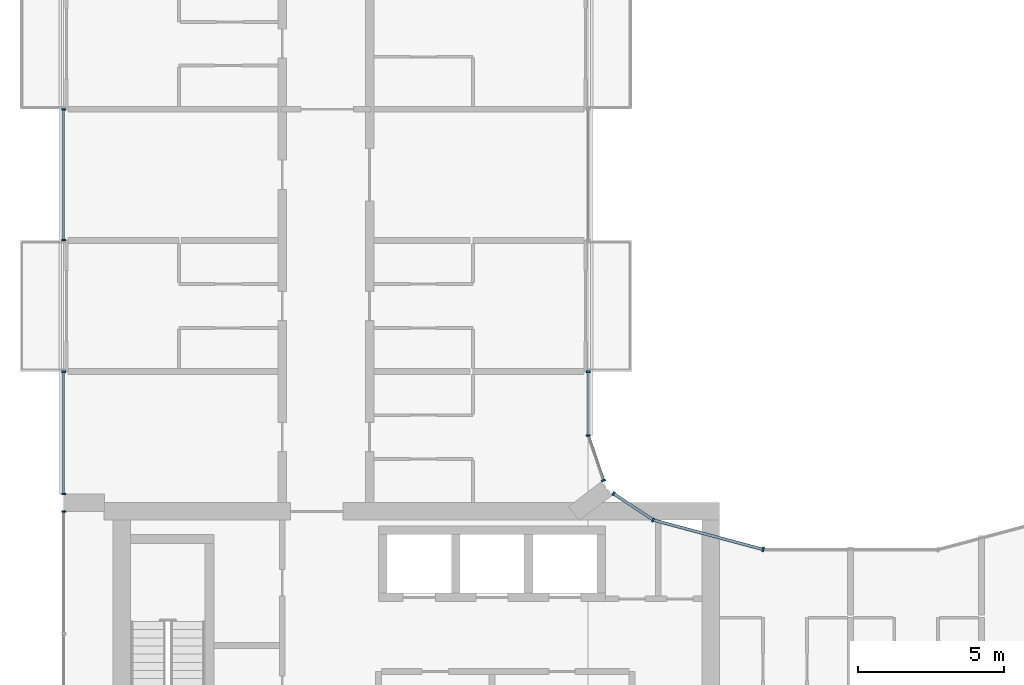
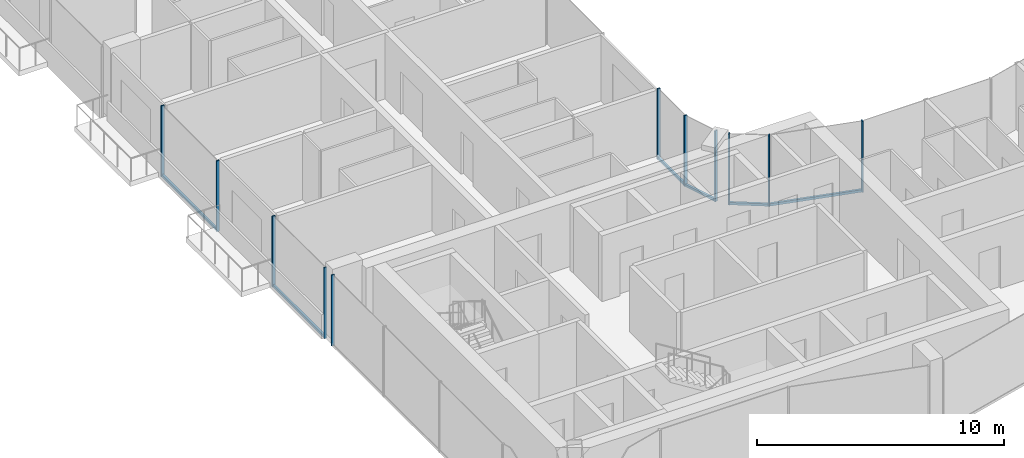
# One storey, part 4 of 16: 17 members, 7 elements without a shape of their own.
"""IFC4 building model written with IfcOpenShell, lengths in metres."""

from ifc_helpers import new_model, si_unit, direction, frame, origin, origin_2d, place, context, subcontext, project, spatial, rectangle, extrude, material, layer, layer_set, material_profile, profile_set, type_object, element, aggregate, save


model = new_model("IFC4")

# Units and contexts
model_context = context("Model", 3, precision=1e-05, world=origin(), true_north=direction((0.0, 1.0)))
body_context = subcontext(model_context, "Body", "Model", "MODEL_VIEW")
ifc_project = project(units=[si_unit("LENGTHUNIT", "METRE"), si_unit("AREAUNIT", "SQUARE_METRE"), si_unit("VOLUMEUNIT", "CUBIC_METRE"), si_unit("PLANEANGLEUNIT", "RADIAN"), si_unit("MASSUNIT", "GRAM", prefix="KILO")], contexts=[model_context])

# Site, building, storey
site_placement = place(None, origin())
site = spatial("IfcSite", under=ifc_project, at=site_placement, CompositionType="ELEMENT")
building_placement = place(site_placement, origin())
building = spatial("IfcBuilding", under=site, at=building_placement, Name="Plateau Cross Towers", CompositionType="ELEMENT")
storey_placement = place(building_placement, frame((0.0, 0.0, 167.39990234375)))
storey = spatial("IfcBuildingStorey", under=building, at=storey_placement, Name="L43", CompositionType="ELEMENT", Elevation=167.39990234375)

# Curtain wall, members
ifc_material_1 = material(Name="Dark low-iron glass", Category="glass")
ifc_layer_1 = layer(ifc_material_1, 0.239990234375)
ifc_layer_set_1 = layer_set([ifc_layer_1], Name="Dark low-iron glass")
curtain_wall_type_1 = type_object("IfcCurtainWallType", Name="Curtain wall flush unitised CW-B", PredefinedType="NOTDEFINED", material=ifc_layer_set_1)
curtain_wall_1_placement = place(storey_placement, origin())
curtain_wall_1 = element("IfcCurtainWall", 1, at=curtain_wall_1_placement, inside=storey, type_object=curtain_wall_type_1, Name="ENV/A/L43/A202_174", PredefinedType="NOTDEFINED")
ifc_material_2 = material(Name="Black anodised aluminium", Category="aluminium")
ifc_material_profile_1 = material_profile(ifc_material_2, rectangle(XDim=0.06005859375, YDim=0.139892578125, at=origin_2d()), Name="MULLION 60x140")
ifc_profile_set_1 = profile_set([ifc_material_profile_1], Name="Black anodised aluminium")
member_type_1 = type_object("IfcMemberType", Name="Mullion 60x140 flush unitised", PredefinedType="MULLION", material=ifc_profile_set_1)
member_1_placement = place(storey_placement, frame((20.223876953125, 17.404296875, -0.25), z_axis=(0.0, 0.0, 1.0), x_axis=(-0.831521253329, 0.555492938984, 0.0)))
member_1 = element("IfcMember", 2, at=member_1_placement, type_object=member_type_1, Name="CW-B mullion 1", PredefinedType="MULLION", context=body_context, shape_type="SweptSolid", body=[
    extrude(rectangle(XDim=0.06005859375, YDim=0.139892578125, at=origin_2d()), origin(), (0.0, 0.0, 1.0), 3.5),
])
member_2_placement = place(storey_placement, frame((18.86962890625, 18.30908203125, -0.25), z_axis=(0.0, 0.0, 1.0), x_axis=(-0.831521253329, 0.555492938984, 0.0)))
member_2 = element("IfcMember", 3, at=member_2_placement, type_object=member_type_1, Name="CW-B mullion 2", PredefinedType="MULLION", context=body_context, shape_type="SweptSolid", body=[
    extrude(rectangle(XDim=0.06005859375, YDim=0.139892578125, at=origin_2d()), origin(), (0.0, 0.0, 1.0), 3.5),
])

# Curtain wall, member
curtain_wall_2_placement = place(storey_placement, origin())
curtain_wall_2 = element("IfcCurtainWall", 4, at=curtain_wall_2_placement, inside=storey, type_object=curtain_wall_type_1, Name="ENV/A/L43/A185_188", PredefinedType="NOTDEFINED")
member_3_placement = place(storey_placement, frame((18.523681640625, 18.760009765625, -0.25), z_axis=(0.0, 0.0, 1.0), x_axis=(-0.321469161574, 0.94692004845, 0.0)))
member_3 = element("IfcMember", 5, at=member_3_placement, type_object=member_type_1, Name="CW-B mullion 1", PredefinedType="MULLION", context=body_context, shape_type="SweptSolid", body=[
    extrude(rectangle(XDim=0.06005859375, YDim=0.139892578125, at=origin_2d()), origin(), (0.0, 0.0, 1.0), 3.5),
])

# Curtain wall, members
curtain_wall_3_placement = place(storey_placement, origin())
curtain_wall_3 = element("IfcCurtainWall", 6, at=curtain_wall_3_placement, inside=storey, type_object=curtain_wall_type_1, Name="ENV/A/L43/A180_203", PredefinedType="NOTDEFINED")
member_4_placement = place(storey_placement, frame((18.0, 20.30224609375, -0.25), z_axis=(0.0, 0.0, 1.0), x_axis=(0.0, 1.0, 0.0)))
member_4 = element("IfcMember", 7, at=member_4_placement, type_object=member_type_1, Name="CW-B mullion 1", PredefinedType="MULLION", context=body_context, shape_type="SweptSolid", body=[
    extrude(rectangle(XDim=0.06005859375, YDim=0.139892578125, at=origin_2d()), origin(), (0.0, 0.0, 1.0), 3.5),
])
member_5_placement = place(storey_placement, frame((18.0, 22.489990234375, -0.25), z_axis=(0.0, 0.0, 1.0), x_axis=(0.0, 1.0, 0.0)))
member_5 = element("IfcMember", 8, at=member_5_placement, type_object=member_type_1, Name="CW-B mullion 2", PredefinedType="MULLION", context=body_context, shape_type="SweptSolid", body=[
    extrude(rectangle(XDim=0.06005859375, YDim=0.139892578125, at=origin_2d()), origin(), (0.0, 0.0, 1.0), 3.5),
])

curtain_wall_4_placement = place(storey_placement, origin())
curtain_wall_4 = element("IfcCurtainWall", 9, at=curtain_wall_4_placement, inside=storey, type_object=curtain_wall_type_1, Name="ENV/A/L43/A0_315", PredefinedType="NOTDEFINED")
member_6_placement = place(storey_placement, frame((0.0, 31.489990234375, -0.25), z_axis=(0.0, 0.0, 1.0), x_axis=(0.0, -1.0, 0.0)))
member_6 = element("IfcMember", 10, at=member_6_placement, type_object=member_type_1, Name="CW-B mullion 1", PredefinedType="MULLION", context=body_context, shape_type="SweptSolid", body=[
    extrude(rectangle(XDim=0.06005859375, YDim=0.139892578125, at=origin_2d()), origin(), (0.0, 0.0, 1.0), 3.5),
])
member_7_placement = place(storey_placement, frame((0.0, 27.010009765625, -0.25), z_axis=(0.0, 0.0, 1.0), x_axis=(0.0, -1.0, 0.0)))
member_7 = element("IfcMember", 11, at=member_7_placement, type_object=member_type_1, Name="CW-B mullion 2", PredefinedType="MULLION", context=body_context, shape_type="SweptSolid", body=[
    extrude(rectangle(XDim=0.06005859375, YDim=0.139892578125, at=origin_2d()), origin(), (0.0, 0.0, 1.0), 3.5),
])

curtain_wall_5_placement = place(storey_placement, origin())
curtain_wall_5 = element("IfcCurtainWall", 12, at=curtain_wall_5_placement, inside=storey, type_object=curtain_wall_type_1, Name="ENV/A/L43/A0_225", PredefinedType="NOTDEFINED")
member_8_placement = place(storey_placement, frame((0.0, 22.489990234375, -0.25), z_axis=(0.0, 0.0, 1.0), x_axis=(0.0, -1.0, 0.0)))
member_8 = element("IfcMember", 13, at=member_8_placement, type_object=member_type_1, Name="CW-B mullion 1", PredefinedType="MULLION", context=body_context, shape_type="SweptSolid", body=[
    extrude(rectangle(XDim=0.06005859375, YDim=0.139892578125, at=origin_2d()), origin(), (0.0, 0.0, 1.0), 3.5),
])
member_9_placement = place(storey_placement, frame((0.0, 18.300048828125, -0.25), z_axis=(0.0, 0.0, 1.0), x_axis=(0.0, -1.0, 0.0)))
member_9 = element("IfcMember", 14, at=member_9_placement, type_object=member_type_1, Name="CW-B mullion 2", PredefinedType="MULLION", context=body_context, shape_type="SweptSolid", body=[
    extrude(rectangle(XDim=0.06005859375, YDim=0.139892578125, at=origin_2d()), origin(), (0.0, 0.0, 1.0), 3.5),
])

# Curtain wall, member
curtain_wall_6_placement = place(storey_placement, origin())
curtain_wall_6 = element("IfcCurtainWall", 15, at=curtain_wall_6_placement, inside=storey, type_object=curtain_wall_type_1, Name="ENV/A/L43/A0_177", PredefinedType="NOTDEFINED")
member_10_placement = place(storey_placement, frame((0.0, 17.699951171875, -0.25), z_axis=(0.0, 0.0, 1.0), x_axis=(0.0, -1.0, 0.0)))
member_10 = element("IfcMember", 16, at=member_10_placement, type_object=member_type_1, Name="CW-B mullion 1", PredefinedType="MULLION", context=body_context, shape_type="SweptSolid", body=[
    extrude(rectangle(XDim=0.06005859375, YDim=0.139892578125, at=origin_2d()), origin(), (0.0, 0.0, 1.0), 3.5),
])
aggregate(curtain_wall_6, [member_10])

ifc_layer_2 = layer(ifc_material_1, 0.260009765625)
ifc_layer_set_2 = layer_set([ifc_layer_2], Name="Dark low-iron glass")
curtain_wall_type_2 = type_object("IfcCurtainWallType", Name="Curtain wall fluted unitised CW-A", PredefinedType="NOTDEFINED", material=ifc_layer_set_2)
curtain_wall_7_placement = place(storey_placement, origin())
curtain_wall_7 = element("IfcCurtainWall", 17, at=curtain_wall_7_placement, inside=storey, type_object=curtain_wall_type_2, Name="ENV/A/L43/A240_164", PredefinedType="NOTDEFINED")
ifc_material_profile_2 = material_profile(ifc_material_2, rectangle(XDim=0.06005859375, YDim=0.159912109375, at=origin_2d()), Name="MULLION 60x160")
ifc_profile_set_2 = profile_set([ifc_material_profile_2], Name="Black anodised aluminium")
member_type_2 = type_object("IfcMemberType", Name="Mullion 60x160 fluted unitised", PredefinedType="MULLION", material=ifc_profile_set_2)
member_11_placement = place(storey_placement, frame((24.0, 16.39306640625, -0.25), z_axis=(0.0, 0.0, 1.0), x_axis=(-0.965957995816, 0.258698956933, 0.0)))
member_11 = element("IfcMember", 18, at=member_11_placement, type_object=member_type_2, Name="CW-A mullion 1", PredefinedType="MULLION", context=body_context, shape_type="SweptSolid", body=[
    extrude(rectangle(XDim=0.06005859375, YDim=0.159912109375, at=origin_2d()), origin(), (0.0, 0.0, 1.0), 3.5),
])

# Member
ifc_material_profile_3 = material_profile(ifc_material_2, rectangle(XDim=0.10009765625, YDim=0.1201171875, at=origin_2d()), Name="TRANSOM 100x120")
ifc_profile_set_3 = profile_set([ifc_material_profile_3], Name="Black anodised aluminium")
member_type_3 = type_object("IfcMemberType", Name="Transom 100x120 flush unitised", PredefinedType="USERDEFINED", material=ifc_profile_set_3)
member_12_placement = place(storey_placement, frame((20.223876953125, 17.404296875, -0.18994140625), z_axis=(-0.831496402487, 0.555530136582, 0.0), x_axis=(-0.555530136582, -0.831496402487, 0.0)))
member_12 = element("IfcMember", 19, at=member_12_placement, type_object=member_type_3, Name="CW-B transom", ObjectType="TRANSOM", PredefinedType="USERDEFINED", context=body_context, shape_type="SweptSolid", body=[
    extrude(rectangle(XDim=0.10009765625, YDim=0.1201171875, at=origin_2d()), origin(), (0.0, 0.0, 1.0), 1.628662109375),
])

aggregate(curtain_wall_1, [member_1, member_2, member_12])

member_13_placement = place(storey_placement, frame((18.523681640625, 18.760009765625, -0.18994140625), z_axis=(-0.321529174838, 0.946899672472, 0.0), x_axis=(-0.946899672472, -0.321529174838, 0.0)))
member_13 = element("IfcMember", 20, at=member_13_placement, type_object=member_type_3, Name="CW-B transom", ObjectType="TRANSOM", PredefinedType="USERDEFINED", context=body_context, shape_type="SweptSolid", body=[
    extrude(rectangle(XDim=0.10009765625, YDim=0.1201171875, at=origin_2d()), origin(), (0.0, 0.0, 1.0), 1.628662109375),
])

aggregate(curtain_wall_2, [member_3, member_13])

member_14_placement = place(storey_placement, frame((18.0, 20.30224609375, -0.18994140625), z_axis=(0.0, 1.0, 0.0), x_axis=(-1.0, 0.0, 0.0)))
member_14 = element("IfcMember", 21, at=member_14_placement, type_object=member_type_3, Name="CW-B transom", ObjectType="TRANSOM", PredefinedType="USERDEFINED", context=body_context, shape_type="SweptSolid", body=[
    extrude(rectangle(XDim=0.10009765625, YDim=0.1201171875, at=origin_2d()), origin(), (0.0, 0.0, 1.0), 2.187744140625),
])

aggregate(curtain_wall_3, [member_4, member_5, member_14])

member_15_placement = place(storey_placement, frame((0.0, 31.489990234375, -0.18994140625), z_axis=(0.0, -1.0, 0.0), x_axis=(1.0, 0.0, 0.0)))
member_15 = element("IfcMember", 22, at=member_15_placement, type_object=member_type_3, Name="CW-B transom", ObjectType="TRANSOM", PredefinedType="USERDEFINED", context=body_context, shape_type="SweptSolid", body=[
    extrude(rectangle(XDim=0.10009765625, YDim=0.1201171875, at=origin_2d()), origin(), (0.0, 0.0, 1.0), 4.47998046875),
])

aggregate(curtain_wall_4, [member_6, member_7, member_15])

member_16_placement = place(storey_placement, frame((0.0, 22.489990234375, -0.18994140625), z_axis=(0.0, -1.0, 0.0), x_axis=(1.0, 0.0, 0.0)))
member_16 = element("IfcMember", 23, at=member_16_placement, type_object=member_type_3, Name="CW-B transom", ObjectType="TRANSOM", PredefinedType="USERDEFINED", context=body_context, shape_type="SweptSolid", body=[
    extrude(rectangle(XDim=0.10009765625, YDim=0.1201171875, at=origin_2d()), origin(), (0.0, 0.0, 1.0), 4.18994140625),
])

aggregate(curtain_wall_5, [member_8, member_9, member_16])

ifc_material_profile_4 = material_profile(ifc_material_2, rectangle(XDim=0.10009765625, YDim=0.1201171875, at=origin_2d()), Name="TRANSOM 100x120")
ifc_profile_set_4 = profile_set([ifc_material_profile_4], Name="Black anodised aluminium")
member_type_4 = type_object("IfcMemberType", Name="Transom 100x120 fluted unitised", PredefinedType="USERDEFINED", material=ifc_profile_set_4)
member_17_placement = place(storey_placement, frame((24.0, 16.39306640625, -0.18994140625), z_axis=(-0.965962822393, 0.25868093427, 0.0), x_axis=(-0.25868093427, -0.965962822393, 0.0)))
member_17 = element("IfcMember", 24, at=member_17_placement, type_object=member_type_4, Name="CW-A transom", ObjectType="TRANSOM", PredefinedType="USERDEFINED", context=body_context, shape_type="SweptSolid", body=[
    extrude(rectangle(XDim=0.10009765625, YDim=0.1201171875, at=origin_2d()), origin(), (0.0, 0.0, 1.0), 3.9091796875),
])

aggregate(curtain_wall_7, [member_11, member_17])

save(model, "model.ifc")
